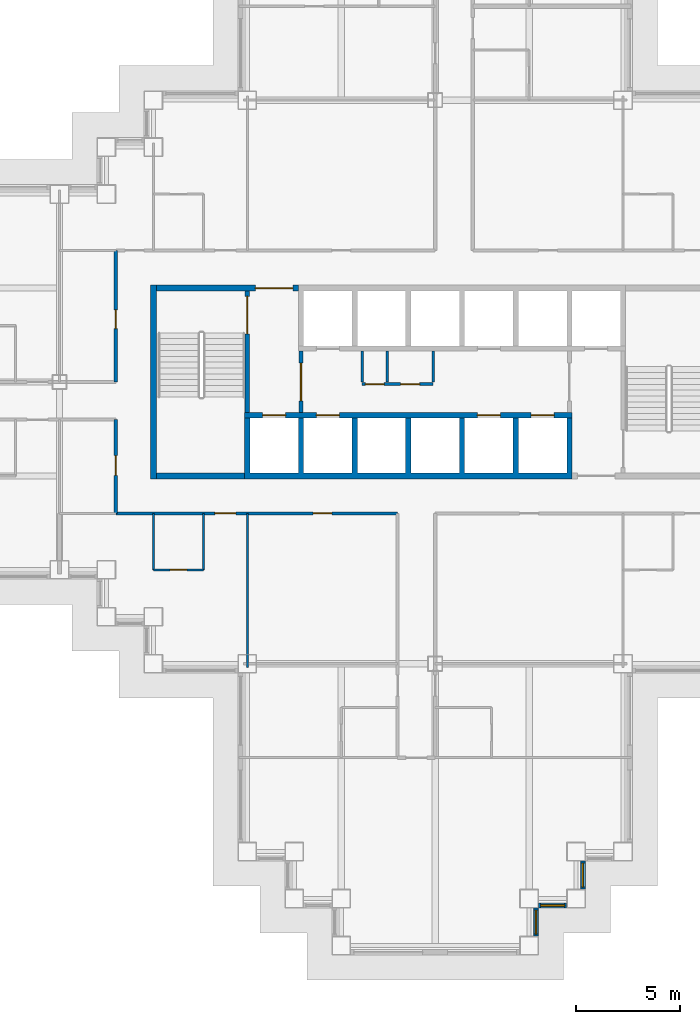
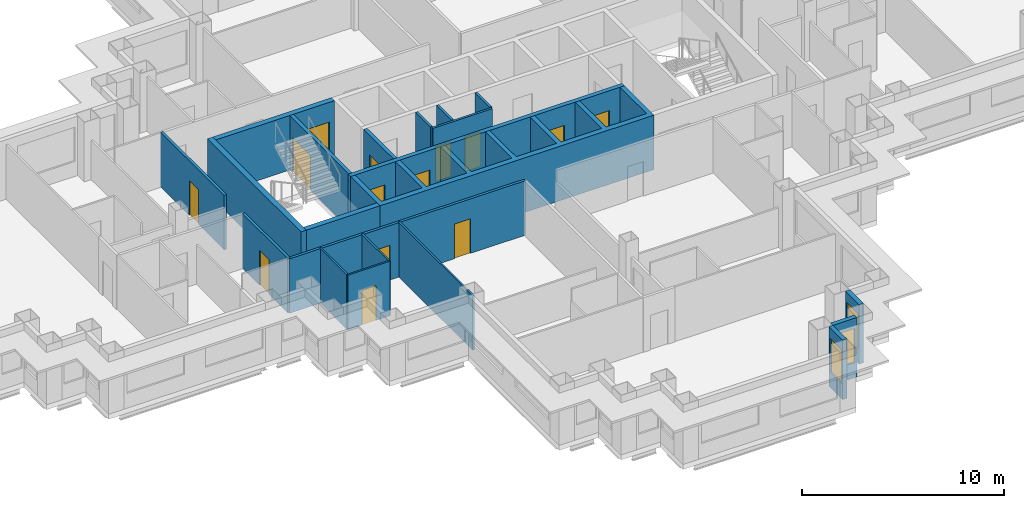
# One storey, part 4 of 14: 21 walls, 14 doors, 3 windows, 17 openings.
"""IFC4 building model written with IfcOpenShell, lengths in metres."""

import ifcopenshell
import ifcopenshell.guid

model = None  # the IFC model being written
_history = None  # IfcOwnerHistory: only IFC2X3 demands one
_inside = {}  # id of a spatial element -> (the spatial element, [elements in it])
_under = {}  # id of a project, library or spatial element -> (it, [spatial elements below it])
_declared = {}  # id of a project -> (the project, [libraries it declares])
_typed = {}  # id of a type object -> (the type object, [elements of that type])
_made_of = {}  # id of a material, layer set ... -> (it, [elements and type objects made of it])


def new_model(schema):
    """Start an empty IFC model of exactly this schema.

    Asked for "IFC4X3", IfcOpenShell would pick the latest addendum, in which some entities
    have other attributes; the version numbers below select the first issue.
    IFC2X3 requires an IfcOwnerHistory on every rooted entity: one is made here for all.
    """
    global model, _history
    if schema == "IFC4X3":
        model = ifcopenshell.file(schema_version=(4, 3, 0, 0))
    else:
        model = ifcopenshell.file(schema=schema)
    _inside.clear()
    _under.clear()
    _declared.clear()
    _typed.clear()
    _made_of.clear()
    _history = None
    if model.schema == "IFC2X3":
        org = make("IfcOrganization", Name="unknown")
        user = make(
            "IfcPersonAndOrganization",
            ThePerson=make("IfcPerson", FamilyName="unknown"),
            TheOrganization=org,
        )
        app = make(
            "IfcApplication",
            ApplicationDeveloper=org,
            Version="unknown",
            ApplicationFullName="unknown",
            ApplicationIdentifier="unknown",
        )
        _history = make(
            "IfcOwnerHistory",
            OwningUser=user,
            OwningApplication=app,
            ChangeAction="ADDED",
            CreationDate=0,
        )
    return model


def make(cls, **values):
    """One entity of the class cls with the attributes given. An attribute that is None is left unset."""
    return model.create_entity(
        cls, **{name: value for name, value in values.items() if value is not None}
    )


def rooted(cls, **values):
    """An entity with a GlobalId (a new one), such as an element, a storey or a relation."""
    return make(cls, GlobalId=ifcopenshell.guid.new(), OwnerHistory=_history, **values)


def si_unit(unit_type, name, prefix=None):
    """IfcSIUnit, for example si_unit("LENGTHUNIT", "METRE", prefix="MILLI")."""
    return make("IfcSIUnit", UnitType=unit_type, Prefix=prefix, Name=name)


def assignment(units):
    """IfcUnitAssignment: the units of a project."""
    return None if units is None else make("IfcUnitAssignment", Units=units)


def point(xyz):
    """IfcCartesianPoint."""
    return None if xyz is None else make("IfcCartesianPoint", Coordinates=xyz)


def direction(xyz):
    """IfcDirection."""
    return None if xyz is None else make("IfcDirection", DirectionRatios=xyz)


def frame(location, z_axis=None, x_axis=None):
    """IfcAxis2Placement3D, a coordinate frame: its origin and axes. An axis left out is left unset."""
    return make(
        "IfcAxis2Placement3D",
        Location=point(location),
        Axis=direction(z_axis),
        RefDirection=direction(x_axis),
    )


def frame_2d(location, x_axis=None):
    """IfcAxis2Placement2D, a coordinate frame in the plane: its origin and x axis."""
    return make(
        "IfcAxis2Placement2D", Location=point(location), RefDirection=direction(x_axis)
    )


def origin():
    """The frame at (0, 0, 0) with its axes left unset."""
    return frame((0.0, 0.0, 0.0))


def place(relative_to, where):
    """IfcLocalPlacement: puts the frame where relative to a parent placement (None: the world)."""
    return make(
        "IfcLocalPlacement", PlacementRelTo=relative_to, RelativePlacement=where
    )


def context(
    kind, dimensions, precision=None, world=None, true_north=None, identifier=None
):
    """IfcGeometricRepresentationContext, for example the 3D "Model" context."""
    return make(
        "IfcGeometricRepresentationContext",
        ContextIdentifier=identifier,
        ContextType=kind,
        CoordinateSpaceDimension=dimensions,
        Precision=precision,
        WorldCoordinateSystem=world,
        TrueNorth=true_north,
    )


def subcontext(parent, identifier, kind, view, scale=None):
    """IfcGeometricRepresentationSubContext, for example "Body" below "Model"."""
    return make(
        "IfcGeometricRepresentationSubContext",
        ContextIdentifier=identifier,
        ContextType=kind,
        ParentContext=parent,
        TargetScale=scale,
        TargetView=view,
    )


def project(units=None, contexts=None):
    """IfcProject with its units and contexts."""
    return rooted(
        "IfcProject",
        Name="project",
        RepresentationContexts=contexts,
        UnitsInContext=assignment(units),
    )


def spatial(cls, under=None, at=None, **own):
    """A site, building, storey or space (cls), placed at a placement, below another one or the project."""
    s = rooted(cls, ObjectPlacement=at, **own)
    if under is not None:
        _under.setdefault(under.id(), (under, []))[1].append(s)
    return s


def polyline(points):
    """IfcPolyline through the points."""
    return make("IfcPolyline", Points=[point(p) for p in points])


def profile(cls, at=None, kind="AREA", **sizes):
    """A parametric profile (cls). Its sizes go by their IFC names, for example OverallWidth=200.0."""
    return make(cls, ProfileType=kind, Position=at, **sizes)


def rectangle(**sizes):
    """IfcRectangleProfileDef."""
    return profile("IfcRectangleProfileDef", **sizes)


def outline(outer, holes=None, kind="AREA"):
    """IfcArbitraryClosedProfileDef: a profile drawn as a closed curve; with holes, ...WithVoids."""
    if holes is None:
        return make("IfcArbitraryClosedProfileDef", ProfileType=kind, OuterCurve=outer)
    return make(
        "IfcArbitraryProfileDefWithVoids",
        ProfileType=kind,
        OuterCurve=outer,
        InnerCurves=holes,
    )


def extrude(swept, where, along, depth):
    """IfcExtrudedAreaSolid: the profile swept, set in the frame where, extruded along a direction by depth."""
    return make(
        "IfcExtrudedAreaSolid",
        SweptArea=swept,
        Position=where,
        ExtrudedDirection=direction(along),
        Depth=depth,
    )


def shape(context_of_items, identifier, shape_type, items):
    """IfcShapeRepresentation: the items that make up one representation, for example the "Body"."""
    return make(
        "IfcShapeRepresentation",
        ContextOfItems=context_of_items,
        RepresentationIdentifier=identifier,
        RepresentationType=shape_type,
        Items=items,
    )


def material(Name=None, Category=None):
    """IfcMaterial."""
    return make("IfcMaterial", Name=Name, Category=Category)


def layer(
    of_material, thickness, ventilated=None, Name=None, Category=None, Priority=None
):
    """IfcMaterialLayer: one layer of a wall or slab, of a material (None: an air gap)."""
    return make(
        "IfcMaterialLayer",
        Material=of_material,
        LayerThickness=thickness,
        IsVentilated=ventilated,
        Name=Name,
        Category=Category,
        Priority=Priority,
    )


def layer_set(layers, Name=None):
    """IfcMaterialLayerSet."""
    return make("IfcMaterialLayerSet", MaterialLayers=layers, LayerSetName=Name)


def made_of(thing, what):
    """Note that an element or type object is made of a material, layer set ...; save() writes the relation."""
    if what is not None:
        _made_of.setdefault(what.id(), (what, []))[1].append(thing)
    return thing


def type_object(cls, material=None, **own):
    """A type object (cls), such as IfcWallType, which elements share."""
    return made_of(rooted(cls, **own), material)


def element(
    cls,
    number,
    at=None,
    inside=None,
    cuts=None,
    type_object=None,
    material=None,
    context=None,
    identifier="Body",
    shape_type=None,
    held_by="IfcProductDefinitionShape",
    body=None,
    shapes=None,
    **own,
):
    """One element of the class cls, such as IfcWall. Its Tag is "e" and its number.

    at: its placement. inside: the storey or other place that contains it. cuts: it is an
    opening in that element (IfcRelVoidsElement). A single representation is given by context,
    identifier, shape_type and body (its items); several are given by shapes. held_by: the class
    of the entity that holds the representations. save() writes the other relations.
    """
    e = rooted(cls, Tag="e%d" % number, ObjectPlacement=at, **own)
    if body is not None:
        shapes = [shape(context, identifier, shape_type, body)]
    if shapes is not None:
        e.Representation = make(held_by, Representations=shapes)
    if inside is not None:
        _inside.setdefault(inside.id(), (inside, []))[1].append(e)
    if cuts is not None:
        rooted(
            "IfcRelVoidsElement", RelatingBuildingElement=cuts, RelatedOpeningElement=e
        )
    if type_object is not None:
        _typed.setdefault(type_object.id(), (type_object, []))[1].append(e)
    return made_of(e, material)


def fill(opening, filler):
    """IfcRelFillsElement: the door or window that sits in an opening."""
    return rooted(
        "IfcRelFillsElement",
        RelatingOpeningElement=opening,
        RelatedBuildingElement=filler,
    )


def aggregate(whole, parts):
    """IfcRelAggregates: a whole, such as a stair, and the parts it consists of."""
    return rooted("IfcRelAggregates", RelatingObject=whole, RelatedObjects=parts)


def save(model, path):
    """Write the relations noted so far, then the file.

    IfcRelAggregates (storeys below a building ...), IfcRelContainedInSpatialStructure (elements
    in a storey), IfcRelDefinesByType, IfcRelAssociatesMaterial and IfcRelDeclares: one each for
    every whole, place, type object, material and project.
    """
    for whole, parts in _under.values():
        aggregate(whole, parts)
    for where, things in _inside.values():
        rooted(
            "IfcRelContainedInSpatialStructure",
            RelatedElements=things,
            RelatingStructure=where,
        )
    for kind, things in _typed.values():
        rooted("IfcRelDefinesByType", RelatedObjects=things, RelatingType=kind)
    for what, things in _made_of.values():
        rooted("IfcRelAssociatesMaterial", RelatedObjects=things, RelatingMaterial=what)
    for by, libraries in _declared.values():
        rooted("IfcRelDeclares", RelatingContext=by, RelatedDefinitions=libraries)
    model.write(path)


model = new_model("IFC4")

# Units and contexts
model_context = context("Model", 3, precision=1e-05, world=origin(), true_north=direction((0.0, 1.0)))
body_context = subcontext(model_context, "Body", "Model", "MODEL_VIEW")
ifc_project = project(units=[si_unit("LENGTHUNIT", "METRE"), si_unit("AREAUNIT", "SQUARE_METRE"), si_unit("VOLUMEUNIT", "CUBIC_METRE"), si_unit("PLANEANGLEUNIT", "RADIAN"), si_unit("MASSUNIT", "GRAM", prefix="KILO")], contexts=[model_context])

# Site, building, storey
site_placement = place(None, origin())
site = spatial("IfcSite", under=ifc_project, at=site_placement, CompositionType="ELEMENT")
building_placement = place(site_placement, origin())
building = spatial("IfcBuilding", under=site, at=building_placement, Name="Caravel Reach Hotel and Residences", CompositionType="ELEMENT")
storey_placement = place(building_placement, frame((0.0, 0.0, 118.800048828125)))
storey = spatial("IfcBuildingStorey", under=building, at=storey_placement, Name="L29", CompositionType="ELEMENT", Elevation=118.800048828125)

# Wall, opening, door
ifc_material_1 = material(Name="Gypsum board on steel stud", Category="steel")
ifc_layer_1 = layer(ifc_material_1, 0.10009765625)
ifc_layer_set_1 = layer_set([ifc_layer_1], Name="Bathroom pod wall 100 mm")
wall_type_1 = type_object("IfcWallType", Name="Bathroom pod wall 100 mm", PredefinedType="PARTITIONING", material=ifc_layer_set_1)
wall_1_placement = place(storey_placement, frame((18.0, 18.0, 0.0), z_axis=(0.0, 0.0, 1.0), x_axis=(1.0, 0.0, 0.0)))
wall_1 = element("IfcWall", 1, at=wall_1_placement, inside=storey, type_object=wall_type_1, Name="L29 wall w069", PredefinedType="PARTITIONING", context=body_context, shape_type="SweptSolid", body=[
    extrude(rectangle(XDim=2.39990234375, YDim=0.10009765625, at=frame_2d((1.199951171875, 0.0))), origin(), (0.0, 0.0, 1.0), 3.300048828125),
])
opening_1_placement = place(wall_1_placement, frame((0.800048828125, 0.0, 0.0)))
opening_1 = element("IfcOpeningElement", 2, at=opening_1_placement, cuts=wall_1, Name="Opening D29-046", PredefinedType="OPENING", context=body_context, shape_type="SweptSolid", body=[
    extrude(rectangle(XDim=0.800048828125, YDim=2.10009765625, at=frame_2d((0.39990234375, 1.050048828125))), frame((0.0, 0.06005859375, 0.0), z_axis=(0.0, -1.0, 0.0), x_axis=(1.0, 0.0, 0.0)), (0.0, 0.0, 1.0), 0.1201171875),
])
ifc_material_2 = material(Name="Timber and steel door leaf", Category="steel")
door_type_1 = type_object("IfcDoorType", Name="Bathroom door 800 x 2100", OperationType="SINGLE_SWING_LEFT", PredefinedType="DOOR", material=ifc_material_2)
door_1_placement = place(opening_1_placement, origin())
door_1 = element("IfcDoor", 3, at=door_1_placement, inside=storey, type_object=door_type_1, Name="door D29-046", OperationType="SINGLE_SWING_LEFT", OverallHeight=2.10009765625, OverallWidth=0.800048828125, PredefinedType="DOOR", context=body_context, shape_type="SweptSolid", body=[
    extrude(rectangle(XDim=0.800048828125, YDim=2.10009765625, at=frame_2d((0.39990234375, 1.050048828125))), frame((0.0, 0.02490234375, 0.0), z_axis=(0.0, -1.0, 0.0), x_axis=(1.0, 0.0, 0.0)), (0.0, 0.0, 1.0), 0.050048828125),
])
fill(opening_1, door_1)

# Walls
for number, where, z_axis, x_axis, name in (
    (4, (18.0, 18.0, 0.0), (0.0, 0.0, 1.0), (0.0, 1.0, 0.0), "L29 wall w082"),
    (5, (20.39990234375, 18.0, 0.0), (0.0, 0.0, 1.0), (0.0, 1.0, 0.0), "L29 wall w084"),
):
    element("IfcWall", number, at=place(storey_placement, frame(where, z_axis=z_axis, x_axis=x_axis)), inside=storey, type_object=wall_type_1, Name=name, PredefinedType="PARTITIONING", context=body_context, shape_type="SweptSolid", body=[
        extrude(rectangle(XDim=2.699951171875, YDim=0.10009765625, at=frame_2d((1.35009765625, 0.0))), origin(), (0.0, 0.0, 1.0), 3.300048828125),
    ])
ifc_material_3 = material(Name="Concrete C60", Category="concrete")
ifc_layer_2 = layer(ifc_material_3, 0.300048828125)
ifc_layer_set_2 = layer_set([ifc_layer_2], Name="Core wall 300 mm EI 120")
wall_type_2 = type_object("IfcWallType", Name="Core wall 300 mm EI 120", PredefinedType="SHEAR", material=ifc_layer_set_2)
wall_2_placement = place(storey_placement, frame((18.14990234375, 22.5, 0.0), z_axis=(0.0, 0.0, 1.0), x_axis=(1.0, 0.0, 0.0)))
element("IfcWall", 6, at=wall_2_placement, inside=storey, type_object=wall_type_2, Name="L29 core wall S1", PredefinedType="SHEAR", context=body_context, shape_type="SweptSolid", body=[
    extrude(rectangle(XDim=4.22509765625, YDim=0.300048828125, at=frame_2d((2.112548828125, 0.0))), origin(), (0.0, 0.0, 1.0), 3.300048828125),
])

# Wall, opening, door
wall_3_placement = place(storey_placement, frame((18.14990234375, 31.5, 0.0), z_axis=(0.0, 0.0, 1.0), x_axis=(1.0, 0.0, 0.0)))
wall_3 = element("IfcWall", 7, at=wall_3_placement, inside=storey, type_object=wall_type_2, Name="L29 core wall N1", PredefinedType="SHEAR", context=body_context, shape_type="SweptSolid", body=[
    extrude(rectangle(XDim=6.796630859375, YDim=0.300048828125, at=frame_2d((3.3984375, 0.0))), origin(), (0.0, 0.0, 1.0), 3.300048828125),
])
opening_2_placement = place(wall_3_placement, frame((4.735595703125, 0.0, 0.0)))
opening_2 = element("IfcOpeningElement", 8, at=opening_2_placement, cuts=wall_3, Name="Opening D29-014", PredefinedType="OPENING", context=body_context, shape_type="SweptSolid", body=[
    extrude(rectangle(XDim=1.800048828125, YDim=2.10009765625, at=frame_2d((0.89990234375, 1.050048828125))), frame((0.0, 0.159912109375, 0.0), z_axis=(0.0, -1.0, 0.0), x_axis=(1.0, 0.0, 0.0)), (0.0, 0.0, 1.0), 0.320068359375),
])
ifc_material_4 = material(Name="Steel fire door leaf", Category="steel")
door_type_2 = type_object("IfcDoorType", Name="Fire lobby door pair 1800 x 2100 EI 90", OperationType="DOUBLE_DOOR_SINGLE_SWING", PredefinedType="DOOR", material=ifc_material_4)
door_2_placement = place(opening_2_placement, origin())
door_2 = element("IfcDoor", 9, at=door_2_placement, inside=storey, type_object=door_type_2, Name="lobby N door pair to corridor", OperationType="DOUBLE_DOOR_SINGLE_SWING", OverallHeight=2.10009765625, OverallWidth=1.800048828125, PredefinedType="DOOR", context=body_context, shape_type="SweptSolid", body=[
    extrude(rectangle(XDim=1.800048828125, YDim=2.10009765625, at=frame_2d((0.89990234375, 1.050048828125))), frame((0.0, 0.02490234375, 0.0), z_axis=(0.0, -1.0, 0.0), x_axis=(1.0, 0.0, 0.0)), (0.0, 0.0, 1.0), 0.050048828125),
])
fill(opening_2, door_2)

# Wall
wall_4_placement = place(storey_placement, frame((18.0, 22.35009765625, 0.0), z_axis=(0.0, 0.0, 1.0), x_axis=(0.0, 1.0, 0.0)))
element("IfcWall", 10, at=wall_4_placement, inside=storey, type_object=wall_type_2, Name="L29 core wall W", PredefinedType="SHEAR", context=body_context, shape_type="SweptSolid", body=[
    extrude(rectangle(XDim=9.2998046875, YDim=0.300048828125, at=frame_2d((4.64990234375, 0.0))), origin(), (0.0, 0.0, 1.0), 3.300048828125),
])

# Wall, openings, doors
ifc_material_5 = material(Name="Gypsum board on steel stud, fire-rated", Category="steel")
ifc_layer_3 = layer(ifc_material_5, 0.14990234375)
ifc_layer_set_3 = layer_set([ifc_layer_3], Name="Corridor wall 150 mm EI 60")
wall_type_3 = type_object("IfcWallType", Name="Corridor wall 150 mm EI 60", PredefinedType="PARTITIONING", material=ifc_layer_set_3)
wall_5_placement = place(storey_placement, frame((16.199951171875, 20.699951171875, 0.0), z_axis=(0.0, 0.0, 1.0), x_axis=(1.0, 0.0, 0.0)))
wall_5 = element("IfcWall", 11, at=wall_5_placement, inside=storey, type_object=wall_type_3, Name="L29 wall w001", PredefinedType="PARTITIONING", context=body_context, shape_type="SweptSolid", body=[
    extrude(rectangle(XDim=13.5, YDim=0.14990234375, at=frame_2d((6.75, 0.0))), origin(), (0.0, 0.0, 1.0), 3.300048828125),
])
opening_3_placement = place(wall_5_placement, frame((4.75, 0.0, 0.0)))
opening_3 = element("IfcOpeningElement", 12, at=opening_3_placement, cuts=wall_5, Name="Opening D29-045", PredefinedType="OPENING", context=body_context, shape_type="SweptSolid", body=[
    extrude(rectangle(XDim=1.0, YDim=2.10009765625, at=frame_2d((0.5, 1.050048828125))), frame((0.0, 0.0849609375, 0.0), z_axis=(0.0, -1.0, 0.0), x_axis=(1.0, 0.0, 0.0)), (0.0, 0.0, 1.0), 0.169921875),
])
opening_4_placement = place(wall_5_placement, frame((9.449951171875, 0.0, 0.0)))
opening_4 = element("IfcOpeningElement", 13, at=opening_4_placement, cuts=wall_5, Name="Opening D29-052", PredefinedType="OPENING", context=body_context, shape_type="SweptSolid", body=[
    extrude(rectangle(XDim=0.89990234375, YDim=2.10009765625, at=frame_2d((0.449951171875, 1.050048828125))), frame((0.0, 0.0849609375, 0.0), z_axis=(0.0, -1.0, 0.0), x_axis=(1.0, 0.0, 0.0)), (0.0, 0.0, 1.0), 0.169921875),
])
ifc_material_6 = material(Name="Timber and steel door leaf", Category="steel")
door_type_3 = type_object("IfcDoorType", Name="Door 900 x 2100 timber", OperationType="SINGLE_SWING_LEFT", PredefinedType="DOOR", material=ifc_material_6)
door_3_placement = place(opening_4_placement, origin())
door_3 = element("IfcDoor", 14, at=door_3_placement, inside=storey, type_object=door_type_3, Name="door D29-052", OperationType="SINGLE_SWING_RIGHT", OverallHeight=2.10009765625, OverallWidth=0.89990234375, PredefinedType="DOOR", context=body_context, shape_type="SweptSolid", body=[
    extrude(rectangle(XDim=0.89990234375, YDim=2.10009765625, at=frame_2d((0.449951171875, 1.050048828125))), frame((0.0, 0.02490234375, 0.0), z_axis=(0.0, -1.0, 0.0), x_axis=(1.0, 0.0, 0.0)), (0.0, 0.0, 1.0), 0.050048828125),
])
fill(opening_4, door_3)
ifc_material_7 = material(Name="Steel fire door leaf", Category="steel")
door_type_4 = type_object("IfcDoorType", Name="Guest room door 1000 x 2100 EI 30", OperationType="SINGLE_SWING_LEFT", PredefinedType="DOOR", material=ifc_material_7)
door_4_placement = place(opening_3_placement, origin())
door_4 = element("IfcDoor", 15, at=door_4_placement, inside=storey, type_object=door_type_4, Name="door D29-045", OperationType="SINGLE_SWING_RIGHT", OverallHeight=2.10009765625, OverallWidth=1.0, PredefinedType="DOOR", context=body_context, shape_type="SweptSolid", body=[
    extrude(rectangle(XDim=1.0, YDim=2.10009765625, at=frame_2d((0.5, 1.050048828125))), frame((0.0, 0.02490234375, 0.0), z_axis=(0.0, -1.0, 0.0), x_axis=(1.0, 0.0, 0.0)), (0.0, 0.0, 1.0), 0.050048828125),
])
fill(opening_3, door_4)

# Wall, opening, door
wall_6_placement = place(storey_placement, frame((16.199951171875, 27.0, 0.0), z_axis=(0.0, 0.0, 1.0), x_axis=(0.0, 1.0, 0.0)))
wall_6 = element("IfcWall", 16, at=wall_6_placement, inside=storey, type_object=wall_type_3, Name="L29 wall w021", PredefinedType="PARTITIONING", context=body_context, shape_type="SweptSolid", body=[
    extrude(rectangle(XDim=6.300048828125, YDim=0.14990234375, at=frame_2d((3.14990234375, 0.0))), origin(), (0.0, 0.0, 1.0), 3.300048828125),
])
opening_5_placement = place(wall_6_placement, frame((2.550048828125, 0.0, 0.0)))
opening_5 = element("IfcOpeningElement", 17, at=opening_5_placement, cuts=wall_6, Name="Opening D29-055", PredefinedType="OPENING", context=body_context, shape_type="SweptSolid", body=[
    extrude(rectangle(XDim=0.89990234375, YDim=2.10009765625, at=frame_2d((0.449951171875, 1.050048828125))), frame((0.0, 0.0849609375, 0.0), z_axis=(0.0, -1.0, 0.0), x_axis=(1.0, 0.0, 0.0)), (0.0, 0.0, 1.0), 0.169921875),
])
door_5_placement = place(opening_5_placement, origin())
door_5 = element("IfcDoor", 18, at=door_5_placement, inside=storey, type_object=door_type_3, Name="door D29-055", OperationType="SINGLE_SWING_LEFT", OverallHeight=2.10009765625, OverallWidth=0.89990234375, PredefinedType="DOOR", context=body_context, shape_type="SweptSolid", body=[
    extrude(rectangle(XDim=0.89990234375, YDim=2.10009765625, at=frame_2d((0.449951171875, 1.050048828125))), frame((0.0, 0.02490234375, 0.0), z_axis=(0.0, -1.0, 0.0), x_axis=(1.0, 0.0, 0.0)), (0.0, 0.0, 1.0), 0.050048828125),
])
fill(opening_5, door_5)

wall_7_placement = place(storey_placement, frame((16.199951171875, 20.699951171875, 0.0), z_axis=(0.0, 0.0, 1.0), x_axis=(0.0, 1.0, 0.0)))
wall_7 = element("IfcWall", 19, at=wall_7_placement, inside=storey, type_object=wall_type_3, Name="L29 wall w022", PredefinedType="PARTITIONING", context=body_context, shape_type="SweptSolid", body=[
    extrude(rectangle(XDim=4.5, YDim=0.14990234375, at=frame_2d((2.25, 0.0))), origin(), (0.0, 0.0, 1.0), 3.300048828125),
])
opening_6_placement = place(wall_7_placement, frame((1.824951171875, 0.0, 0.0)))
opening_6 = element("IfcOpeningElement", 20, at=opening_6_placement, cuts=wall_7, Name="Opening D29-054", PredefinedType="OPENING", context=body_context, shape_type="SweptSolid", body=[
    extrude(rectangle(XDim=0.949951171875, YDim=2.10009765625, at=frame_2d((0.47509765625, 1.050048828125))), frame((0.0, 0.0849609375, 0.0), z_axis=(0.0, -1.0, 0.0), x_axis=(1.0, 0.0, 0.0)), (0.0, 0.0, 1.0), 0.169921875),
])
ifc_material_8 = material(Name="Timber and steel door leaf", Category="steel")
door_type_5 = type_object("IfcDoorType", Name="Accessible WC door 950 x 2100", OperationType="SINGLE_SWING_LEFT", PredefinedType="DOOR", material=ifc_material_8)
door_6_placement = place(opening_6_placement, origin())
door_6 = element("IfcDoor", 21, at=door_6_placement, inside=storey, type_object=door_type_5, Name="door D29-054", OperationType="SINGLE_SWING_RIGHT", OverallHeight=2.10009765625, OverallWidth=0.949951171875, PredefinedType="DOOR", context=body_context, shape_type="SweptSolid", body=[
    extrude(rectangle(XDim=0.949951171875, YDim=2.10009765625, at=frame_2d((0.47509765625, 1.050048828125))), frame((0.0, 0.02490234375, 0.0), z_axis=(0.0, -1.0, 0.0), x_axis=(1.0, 0.0, 0.0)), (0.0, 0.0, 1.0), 0.050048828125),
])
fill(opening_6, door_6)

# Wall, opening, window
ifc_material_9 = material(Name="Insulated rainscreen wall, aluminium cladding", Category="aluminium")
ifc_layer_4 = layer(ifc_material_9, 0.25)
ifc_layer_set_4 = layer_set([ifc_layer_4], Name="EW1 Tower rainscreen wall")
wall_type_4 = type_object("IfcWallType", Name="EW1 Tower rainscreen wall", PredefinedType="SOLIDWALL", material=ifc_layer_set_4)
wall_8_placement = place(storey_placement, frame((36.324951171875, 0.449951171875, 0.0), z_axis=(0.0, 0.0, 1.0), x_axis=(0.0, 1.0, 0.0)))
wall_8 = element("IfcWall", 22, at=wall_8_placement, inside=storey, type_object=wall_type_4, Name="External wall L29 E6.1", PredefinedType="SOLIDWALL", context=body_context, shape_type="SweptSolid", body=[
    extrude(rectangle(XDim=1.35009765625, YDim=0.25, at=frame_2d((0.675048828125, 0.0))), origin(), (0.0, 0.0, 1.0), 3.599853515625),
])
opening_7_placement = place(wall_8_placement, frame((0.10009765625, 0.0, 0.89990234375)))
opening_7 = element("IfcOpeningElement", 23, at=opening_7_placement, cuts=wall_8, Name="Opening WN8", PredefinedType="OPENING", context=body_context, shape_type="SweptSolid", body=[
    extrude(rectangle(XDim=1.14990234375, YDim=2.080078125, at=frame_2d((0.574951171875, 1.0400390625))), frame((0.0, 0.135009765625, 0.0), z_axis=(0.0, -1.0, 0.0), x_axis=(1.0, 0.0, 0.0)), (0.0, 0.0, 1.0), 0.27001953125),
])
ifc_material_10 = material(Name="Dark low-e glazing in black aluminium frame", Category="aluminium")
window_type = type_object("IfcWindowType", Name="Hotel suite corner window 1150 x 2080", PartitioningType="SINGLE_PANEL", PredefinedType="WINDOW", material=ifc_material_10)
window_1_placement = place(opening_7_placement, origin())
window_1 = element("IfcWindow", 24, at=window_1_placement, inside=storey, type_object=window_type, Name="Window L29 E6.1.1", OverallHeight=2.080078125, OverallWidth=1.14990234375, PartitioningType="SINGLE_PANEL", PredefinedType="WINDOW", context=body_context, shape_type="SweptSolid", body=[
    extrude(rectangle(XDim=1.14990234375, YDim=2.080078125, at=frame_2d((0.574951171875, 1.0400390625))), frame((0.0, 0.030029296875, 0.0), z_axis=(0.0, -1.0, 0.0), x_axis=(1.0, 0.0, 0.0)), (0.0, 0.0, 1.0), 0.06005859375),
])
fill(opening_7, window_1)

wall_9_placement = place(storey_placement, frame((36.449951171875, 1.925048828125, 0.0), z_axis=(0.0, 0.0, 1.0), x_axis=(1.0, 0.0, 0.0)))
wall_9 = element("IfcWall", 25, at=wall_9_placement, inside=storey, type_object=wall_type_4, Name="External wall L29 S7.1", PredefinedType="SOLIDWALL", context=body_context, shape_type="SweptSolid", body=[
    extrude(rectangle(XDim=1.35009765625, YDim=0.25, at=frame_2d((0.675048828125, 0.0))), origin(), (0.0, 0.0, 1.0), 3.599853515625),
])
opening_8_placement = place(wall_9_placement, frame((0.10009765625, 0.0, 0.89990234375)))
opening_8 = element("IfcOpeningElement", 26, at=opening_8_placement, cuts=wall_9, Name="Opening WN8", PredefinedType="OPENING", context=body_context, shape_type="SweptSolid", body=[
    extrude(rectangle(XDim=1.14990234375, YDim=2.080078125, at=frame_2d((0.574951171875, 1.0400390625))), frame((0.0, 0.135009765625, 0.0), z_axis=(0.0, -1.0, 0.0), x_axis=(1.0, 0.0, 0.0)), (0.0, 0.0, 1.0), 0.27001953125),
])
window_2_placement = place(opening_8_placement, origin())
window_2 = element("IfcWindow", 27, at=window_2_placement, inside=storey, type_object=window_type, Name="Window L29 S7.1.1", OverallHeight=2.080078125, OverallWidth=1.14990234375, PartitioningType="SINGLE_PANEL", PredefinedType="WINDOW", context=body_context, shape_type="SweptSolid", body=[
    extrude(rectangle(XDim=1.14990234375, YDim=2.080078125, at=frame_2d((0.574951171875, 1.0400390625))), frame((0.0, 0.030029296875, 0.0), z_axis=(0.0, -1.0, 0.0), x_axis=(1.0, 0.0, 0.0)), (0.0, 0.0, 1.0), 0.06005859375),
])
fill(opening_8, window_2)

wall_10_placement = place(storey_placement, frame((38.574951171875, 2.699951171875, 0.0), z_axis=(0.0, 0.0, 1.0), x_axis=(0.0, 1.0, 0.0)))
wall_10 = element("IfcWall", 28, at=wall_10_placement, inside=storey, type_object=wall_type_4, Name="External wall L29 E8.1", PredefinedType="SOLIDWALL", context=body_context, shape_type="SweptSolid", body=[
    extrude(rectangle(XDim=1.35009765625, YDim=0.25, at=frame_2d((0.675048828125, 0.0))), origin(), (0.0, 0.0, 1.0), 3.599853515625),
])
opening_9_placement = place(wall_10_placement, frame((0.10009765625, 0.0, 0.89990234375)))
opening_9 = element("IfcOpeningElement", 29, at=opening_9_placement, cuts=wall_10, Name="Opening WN8", PredefinedType="OPENING", context=body_context, shape_type="SweptSolid", body=[
    extrude(rectangle(XDim=1.14990234375, YDim=2.080078125, at=frame_2d((0.574951171875, 1.0400390625))), frame((0.0, 0.135009765625, 0.0), z_axis=(0.0, -1.0, 0.0), x_axis=(1.0, 0.0, 0.0)), (0.0, 0.0, 1.0), 0.27001953125),
])
window_3_placement = place(opening_9_placement, origin())
window_3 = element("IfcWindow", 30, at=window_3_placement, inside=storey, type_object=window_type, Name="Window L29 E8.1.1", OverallHeight=2.080078125, OverallWidth=1.14990234375, PartitioningType="SINGLE_PANEL", PredefinedType="WINDOW", context=body_context, shape_type="SweptSolid", body=[
    extrude(rectangle(XDim=1.14990234375, YDim=2.080078125, at=frame_2d((0.574951171875, 1.0400390625))), frame((0.0, 0.030029296875, 0.0), z_axis=(0.0, -1.0, 0.0), x_axis=(1.0, 0.0, 0.0)), (0.0, 0.0, 1.0), 0.06005859375),
])
fill(opening_9, window_3)

# Wall, opening, door
ifc_material_11 = material(Name="Autoclaved aerated block wall")
ifc_layer_5 = layer(ifc_material_11, 0.199951171875)
ifc_layer_set_5 = layer_set([ifc_layer_5], Name="Fire lobby wall 200 mm EI 120")
wall_type_5 = type_object("IfcWallType", Name="Fire lobby wall 200 mm EI 120", PredefinedType="PARTITIONING", material=ifc_layer_set_5)
wall_11_placement = place(storey_placement, frame((25.071533203125, 25.52490234375, 0.0), z_axis=(0.0, 0.0, 1.0), x_axis=(0.0, 1.0, 0.0)))
wall_11 = element("IfcWall", 31, at=wall_11_placement, inside=storey, type_object=wall_type_5, Name="L29 lobby W wall", PredefinedType="PARTITIONING", context=body_context, shape_type="SweptSolid", body=[
    extrude(rectangle(XDim=2.9501953125, YDim=0.199951171875, at=frame_2d((1.47509765625, 0.0))), origin(), (0.0, 0.0, 1.0), 3.300048828125),
])
opening_10_placement = place(wall_11_placement, frame((0.574951171875, 0.0, 0.0)))
opening_10 = element("IfcOpeningElement", 32, at=opening_10_placement, cuts=wall_11, Name="Opening D29-012", PredefinedType="OPENING", context=body_context, shape_type="SweptSolid", body=[
    extrude(rectangle(XDim=1.800048828125, YDim=2.10009765625, at=frame_2d((0.89990234375, 1.050048828125))), frame((0.0, 0.10986328125, 0.0), z_axis=(0.0, -1.0, 0.0), x_axis=(1.0, 0.0, 0.0)), (0.0, 0.0, 1.0), 0.219970703125),
])
door_7_placement = place(opening_10_placement, origin())
door_7 = element("IfcDoor", 33, at=door_7_placement, inside=storey, type_object=door_type_2, Name="lobby W door pair", OperationType="DOUBLE_DOOR_SINGLE_SWING", OverallHeight=2.10009765625, OverallWidth=1.800048828125, PredefinedType="DOOR", context=body_context, shape_type="SweptSolid", body=[
    extrude(rectangle(XDim=1.800048828125, YDim=2.10009765625, at=frame_2d((0.89990234375, 1.050048828125))), frame((0.0, 0.02490234375, 0.0), z_axis=(0.0, -1.0, 0.0), x_axis=(1.0, 0.0, 0.0)), (0.0, 0.0, 1.0), 0.050048828125),
])
fill(opening_10, door_7)

# Wall
ifc_material_12 = material(Name="Gypsum board on steel stud", Category="steel")
ifc_layer_6 = layer(ifc_material_12, 0.10009765625)
ifc_layer_set_6 = layer_set([ifc_layer_6], Name="Partition 100 mm")
wall_type_6 = type_object("IfcWallType", Name="Partition 100 mm", PredefinedType="PARTITIONING", material=ifc_layer_set_6)
wall_12_placement = place(storey_placement, frame((22.5, 13.31005859375, 0.0), z_axis=(0.0, 0.0, 1.0), x_axis=(0.0, 1.0, 0.0)))
element("IfcWall", 34, at=wall_12_placement, inside=storey, type_object=wall_type_6, Name="L29 wall w054", PredefinedType="PARTITIONING", context=body_context, shape_type="SweptSolid", body=[
    extrude(rectangle(XDim=7.389892578125, YDim=0.10009765625, at=frame_2d((3.69482421875, 0.0))), origin(), (0.0, 0.0, 1.0), 3.300048828125),
])

# Wall, openings, doors
ifc_material_13 = material(Name="Autoclaved aerated block wall")
ifc_layer_7 = layer(ifc_material_13, 0.125)
ifc_layer_set_7 = layer_set([ifc_layer_7], Name="Riser wall 125 mm EI 60")
wall_type_7 = type_object("IfcWallType", Name="Riser wall 125 mm EI 60", PredefinedType="PARTITIONING", material=ifc_layer_set_7)
wall_13_placement = place(storey_placement, frame((28.0, 26.89990234375, 0.0), z_axis=(0.0, 0.0, 1.0), x_axis=(1.0, 0.0, 0.0)))
wall_13 = element("IfcWall", 35, at=wall_13_placement, inside=storey, type_object=wall_type_7, Name="L29 service room wall N1", PredefinedType="PARTITIONING", context=body_context, shape_type="SweptSolid", body=[
    extrude(rectangle(XDim=3.39990234375, YDim=0.125, at=frame_2d((1.699951171875, 0.0))), origin(), (0.0, 0.0, 1.0), 3.300048828125),
])
opening_11_placement = place(wall_13_placement, frame((0.14990234375, 0.0, 0.0)))
opening_11 = element("IfcOpeningElement", 36, at=opening_11_placement, cuts=wall_13, Name="Opening D29-008", PredefinedType="OPENING", context=body_context, shape_type="SweptSolid", body=[
    extrude(rectangle(XDim=0.89990234375, YDim=2.10009765625, at=frame_2d((0.449951171875, 1.050048828125))), frame((0.0, 0.072509765625, 0.0), z_axis=(0.0, -1.0, 0.0), x_axis=(1.0, 0.0, 0.0)), (0.0, 0.0, 1.0), 0.14501953125),
])
opening_12_placement = place(wall_13_placement, frame((1.85009765625, 0.0, 0.0)))
opening_12 = element("IfcOpeningElement", 37, at=opening_12_placement, cuts=wall_13, Name="Opening D29-009", PredefinedType="OPENING", context=body_context, shape_type="SweptSolid", body=[
    extrude(rectangle(XDim=0.89990234375, YDim=2.10009765625, at=frame_2d((0.449951171875, 1.050048828125))), frame((0.0, 0.072509765625, 0.0), z_axis=(0.0, -1.0, 0.0), x_axis=(1.0, 0.0, 0.0)), (0.0, 0.0, 1.0), 0.14501953125),
])
ifc_material_14 = material(Name="Steel fire door leaf", Category="steel")
door_type_6 = type_object("IfcDoorType", Name="Riser door 900 x 2100 EI 60", OperationType="SINGLE_SWING_LEFT", PredefinedType="DOOR", material=ifc_material_14)
door_8_placement = place(opening_11_placement, origin())
door_8 = element("IfcDoor", 38, at=door_8_placement, inside=storey, type_object=door_type_6, Name="Staff store door", OperationType="SINGLE_SWING_LEFT", OverallHeight=2.10009765625, OverallWidth=0.89990234375, PredefinedType="DOOR", context=body_context, shape_type="SweptSolid", body=[
    extrude(rectangle(XDim=0.89990234375, YDim=2.10009765625, at=frame_2d((0.449951171875, 1.050048828125))), frame((0.0, 0.02490234375, 0.0), z_axis=(0.0, -1.0, 0.0), x_axis=(1.0, 0.0, 0.0)), (0.0, 0.0, 1.0), 0.050048828125),
])
fill(opening_11, door_8)
door_9_placement = place(opening_12_placement, origin())
door_9 = element("IfcDoor", 39, at=door_9_placement, inside=storey, type_object=door_type_6, Name="Executive lounge pantry door", OperationType="SINGLE_SWING_LEFT", OverallHeight=2.10009765625, OverallWidth=0.89990234375, PredefinedType="DOOR", context=body_context, shape_type="SweptSolid", body=[
    extrude(rectangle(XDim=0.89990234375, YDim=2.10009765625, at=frame_2d((0.449951171875, 1.050048828125))), frame((0.0, 0.02490234375, 0.0), z_axis=(0.0, -1.0, 0.0), x_axis=(1.0, 0.0, 0.0)), (0.0, 0.0, 1.0), 0.050048828125),
])
fill(opening_12, door_9)

# Walls
for number, where, z_axis, x_axis, name in (
    (40, (28.0, 28.47509765625, 0.0), (0.0, 0.0, 1.0), (0.0, -1.0, 0.0), "L29 service room partition N1"),
    (41, (29.199951171875, 28.47509765625, 0.0), (0.0, 0.0, 1.0), (0.0, -1.0, 0.0), "L29 service room partition N1"),
    (42, (31.39990234375, 28.47509765625, 0.0), (0.0, 0.0, 1.0), (0.0, -1.0, 0.0), "L29 service room partition N1"),
):
    element("IfcWall", number, at=place(storey_placement, frame(where, z_axis=z_axis, x_axis=x_axis)), inside=storey, type_object=wall_type_7, Name=name, PredefinedType="PARTITIONING", context=body_context, shape_type="SweptSolid", body=[
        extrude(rectangle(XDim=1.47509765625, YDim=0.125, at=frame_2d((0.737548828125, 0.0))), origin(), (0.0, 0.0, 1.0), 3.300048828125),
    ])
ifc_material_15 = material(Name="Concrete C60", Category="concrete")
ifc_layer_8 = layer(ifc_material_15, 0.25)
ifc_layer_set_8 = layer_set([ifc_layer_8], Name="Shaft wall 250 mm EI 120")
wall_type_8 = type_object("IfcWallType", Name="Shaft wall 250 mm EI 120", PredefinedType="SHEAR", material=ifc_layer_set_8)
wall_14_placement = place(storey_placement, origin())
element("IfcWall", 43, at=wall_14_placement, inside=storey, type_object=wall_type_8, Name="L29 lift shaft wall S1", PredefinedType="SHEAR", context=body_context, shape_type="SweptSolid", body=[
    extrude(outline(polyline([(22.375, 22.35009765625), (38.053466796875, 22.35009765625), (38.053466796875, 25.27490234375), (37.803466796875, 25.27490234375), (37.803466796875, 22.64990234375), (35.482177734375, 22.64990234375), (35.482177734375, 25.27490234375), (35.232177734375, 25.27490234375), (35.232177734375, 22.64990234375), (32.91064453125, 22.64990234375), (32.91064453125, 25.27490234375), (32.66064453125, 25.27490234375), (32.66064453125, 22.64990234375), (30.33935546875, 22.64990234375), (30.33935546875, 25.27490234375), (30.08935546875, 25.27490234375), (30.08935546875, 22.64990234375), (27.767822265625, 22.64990234375), (27.767822265625, 25.27490234375), (27.517822265625, 25.27490234375), (27.517822265625, 22.64990234375), (25.196533203125, 22.64990234375), (25.196533203125, 25.27490234375), (24.946533203125, 25.27490234375), (24.946533203125, 22.64990234375), (22.625, 22.64990234375), (22.625, 25.27490234375), (22.375, 25.27490234375), (22.375, 22.35009765625)])), origin(), (0.0, 0.0, 1.0), 3.300048828125),
])

# Wall, openings, doors
wall_15_placement = place(storey_placement, frame((22.375, 25.39990234375, 0.0), z_axis=(0.0, 0.0, 1.0), x_axis=(1.0, 0.0, 0.0)))
wall_15 = element("IfcWall", 44, at=wall_15_placement, inside=storey, type_object=wall_type_8, Name="L29 lobby wall S1", PredefinedType="SHEAR", context=body_context, shape_type="SweptSolid", body=[
    extrude(rectangle(XDim=15.678466796875, YDim=0.25, at=frame_2d((7.83935546875, 0.0))), origin(), (0.0, 0.0, 1.0), 3.300048828125),
])
opening_13_placement = place(wall_15_placement, frame((3.43212890625, 0.0, 0.0)))
opening_13 = element("IfcOpeningElement", 45, at=opening_13_placement, cuts=wall_15, Name="Opening D29-001", PredefinedType="OPENING", context=body_context, shape_type="SweptSolid", body=[
    extrude(rectangle(XDim=1.10009765625, YDim=2.10009765625, at=frame_2d((0.550048828125, 1.050048828125))), frame((0.0, 0.135009765625, 0.0), z_axis=(0.0, -1.0, 0.0), x_axis=(1.0, 0.0, 0.0)), (0.0, 0.0, 1.0), 0.27001953125),
])
opening_14_placement = place(wall_15_placement, frame((11.146484375, 0.0, 0.0)))
opening_14 = element("IfcOpeningElement", 46, at=opening_14_placement, cuts=wall_15, Name="Opening D29-002", PredefinedType="OPENING", context=body_context, shape_type="SweptSolid", body=[
    extrude(rectangle(XDim=1.10009765625, YDim=2.10009765625, at=frame_2d((0.550048828125, 1.050048828125))), frame((0.0, 0.135009765625, 0.0), z_axis=(0.0, -1.0, 0.0), x_axis=(1.0, 0.0, 0.0)), (0.0, 0.0, 1.0), 0.27001953125),
])
opening_15_placement = place(wall_15_placement, frame((13.718017578125, 0.0, 0.0)))
opening_15 = element("IfcOpeningElement", 47, at=opening_15_placement, cuts=wall_15, Name="Opening D29-003", PredefinedType="OPENING", context=body_context, shape_type="SweptSolid", body=[
    extrude(rectangle(XDim=1.10009765625, YDim=2.10009765625, at=frame_2d((0.550048828125, 1.050048828125))), frame((0.0, 0.135009765625, 0.0), z_axis=(0.0, -1.0, 0.0), x_axis=(1.0, 0.0, 0.0)), (0.0, 0.0, 1.0), 0.27001953125),
])
opening_16_placement = place(wall_15_placement, frame((0.860595703125, 0.0, 0.0)))
opening_16 = element("IfcOpeningElement", 48, at=opening_16_placement, cuts=wall_15, Name="Opening D29-006", PredefinedType="OPENING", context=body_context, shape_type="SweptSolid", body=[
    extrude(rectangle(XDim=1.10009765625, YDim=2.10009765625, at=frame_2d((0.550048828125, 1.050048828125))), frame((0.0, 0.135009765625, 0.0), z_axis=(0.0, -1.0, 0.0), x_axis=(1.0, 0.0, 0.0)), (0.0, 0.0, 1.0), 0.27001953125),
])
ifc_material_16 = material(Name="Stainless steel landing door", Category="steel")
door_type_7 = type_object("IfcDoorType", Name="Landing door LD 1100 x 2100 sliding", OperationType="DOUBLE_DOOR_SLIDING", PredefinedType="DOOR", material=ifc_material_16)
door_10_placement = place(opening_13_placement, origin())
door_10 = element("IfcDoor", 49, at=door_10_placement, inside=storey, type_object=door_type_7, Name="LP1 landing door", OperationType="DOUBLE_DOOR_SLIDING", OverallHeight=2.10009765625, OverallWidth=1.10009765625, PredefinedType="DOOR", context=body_context, shape_type="SweptSolid", body=[
    extrude(rectangle(XDim=1.10009765625, YDim=2.10009765625, at=frame_2d((0.550048828125, 1.050048828125))), frame((0.0, 0.02490234375, 0.0), z_axis=(0.0, -1.0, 0.0), x_axis=(1.0, 0.0, 0.0)), (0.0, 0.0, 1.0), 0.050048828125),
])
fill(opening_13, door_10)
door_11_placement = place(opening_14_placement, origin())
door_11 = element("IfcDoor", 50, at=door_11_placement, inside=storey, type_object=door_type_7, Name="LP2 landing door", OperationType="DOUBLE_DOOR_SLIDING", OverallHeight=2.10009765625, OverallWidth=1.10009765625, PredefinedType="DOOR", context=body_context, shape_type="SweptSolid", body=[
    extrude(rectangle(XDim=1.10009765625, YDim=2.10009765625, at=frame_2d((0.550048828125, 1.050048828125))), frame((0.0, 0.02490234375, 0.0), z_axis=(0.0, -1.0, 0.0), x_axis=(1.0, 0.0, 0.0)), (0.0, 0.0, 1.0), 0.050048828125),
])
fill(opening_14, door_11)
door_12_placement = place(opening_15_placement, origin())
door_12 = element("IfcDoor", 51, at=door_12_placement, inside=storey, type_object=door_type_7, Name="LP3 landing door", OperationType="DOUBLE_DOOR_SLIDING", OverallHeight=2.10009765625, OverallWidth=1.10009765625, PredefinedType="DOOR", context=body_context, shape_type="SweptSolid", body=[
    extrude(rectangle(XDim=1.10009765625, YDim=2.10009765625, at=frame_2d((0.550048828125, 1.050048828125))), frame((0.0, 0.02490234375, 0.0), z_axis=(0.0, -1.0, 0.0), x_axis=(1.0, 0.0, 0.0)), (0.0, 0.0, 1.0), 0.050048828125),
])
fill(opening_15, door_12)
door_13_placement = place(opening_16_placement, origin())
door_13 = element("IfcDoor", 52, at=door_13_placement, inside=storey, type_object=door_type_7, Name="FL1 landing door", OperationType="DOUBLE_DOOR_SLIDING", OverallHeight=2.10009765625, OverallWidth=1.10009765625, PredefinedType="DOOR", context=body_context, shape_type="SweptSolid", body=[
    extrude(rectangle(XDim=1.10009765625, YDim=2.10009765625, at=frame_2d((0.550048828125, 1.050048828125))), frame((0.0, 0.02490234375, 0.0), z_axis=(0.0, -1.0, 0.0), x_axis=(1.0, 0.0, 0.0)), (0.0, 0.0, 1.0), 0.050048828125),
])
fill(opening_16, door_13)

# Wall, opening, door
ifc_material_17 = material(Name="Concrete C60", Category="concrete")
ifc_layer_9 = layer(ifc_material_17, 0.199951171875)
ifc_layer_set_9 = layer_set([ifc_layer_9], Name="Stair enclosure wall 200 mm EI 120")
wall_type_9 = type_object("IfcWallType", Name="Stair enclosure wall 200 mm EI 120", PredefinedType="SHEAR", material=ifc_layer_set_9)
wall_16_placement = place(storey_placement, frame((22.5, 31.35009765625, 0.0), z_axis=(0.0, 0.0, 1.0), x_axis=(0.0, -1.0, 0.0)))
wall_16 = element("IfcWall", 53, at=wall_16_placement, inside=storey, type_object=wall_type_9, Name="L29 stair A wall", PredefinedType="SHEAR", context=body_context, shape_type="SweptSolid", body=[
    extrude(rectangle(XDim=5.8251953125, YDim=0.199951171875, at=frame_2d((2.91259765625, 0.0))), origin(), (0.0, 0.0, 1.0), 3.300048828125),
])
opening_17_placement = place(wall_16_placement, frame((0.25, 0.0, 0.0)))
opening_17 = element("IfcOpeningElement", 54, at=opening_17_placement, cuts=wall_16, Name="Opening D29-010", PredefinedType="OPENING", context=body_context, shape_type="SweptSolid", body=[
    extrude(rectangle(XDim=1.800048828125, YDim=2.10009765625, at=frame_2d((0.89990234375, 1.050048828125))), frame((0.0, 0.10986328125, 0.0), z_axis=(0.0, -1.0, 0.0), x_axis=(1.0, 0.0, 0.0)), (0.0, 0.0, 1.0), 0.219970703125),
])
ifc_material_18 = material(Name="Steel fire door leaf", Category="steel")
door_type_8 = type_object("IfcDoorType", Name="Stair door pair 1800 x 2100 EI 90", OperationType="DOUBLE_DOOR_SINGLE_SWING", PredefinedType="DOOR", material=ifc_material_18)
door_14_placement = place(opening_17_placement, origin())
door_14 = element("IfcDoor", 55, at=door_14_placement, inside=storey, type_object=door_type_8, Name="stair A door pair", OperationType="DOUBLE_DOOR_SINGLE_SWING", OverallHeight=2.10009765625, OverallWidth=1.800048828125, PredefinedType="DOOR", context=body_context, shape_type="SweptSolid", body=[
    extrude(rectangle(XDim=1.800048828125, YDim=2.10009765625, at=frame_2d((0.89990234375, 1.050048828125))), frame((0.0, 0.02490234375, 0.0), z_axis=(0.0, -1.0, 0.0), x_axis=(1.0, 0.0, 0.0)), (0.0, 0.0, 1.0), 0.050048828125),
])
fill(opening_17, door_14)

save(model, "model.ifc")
